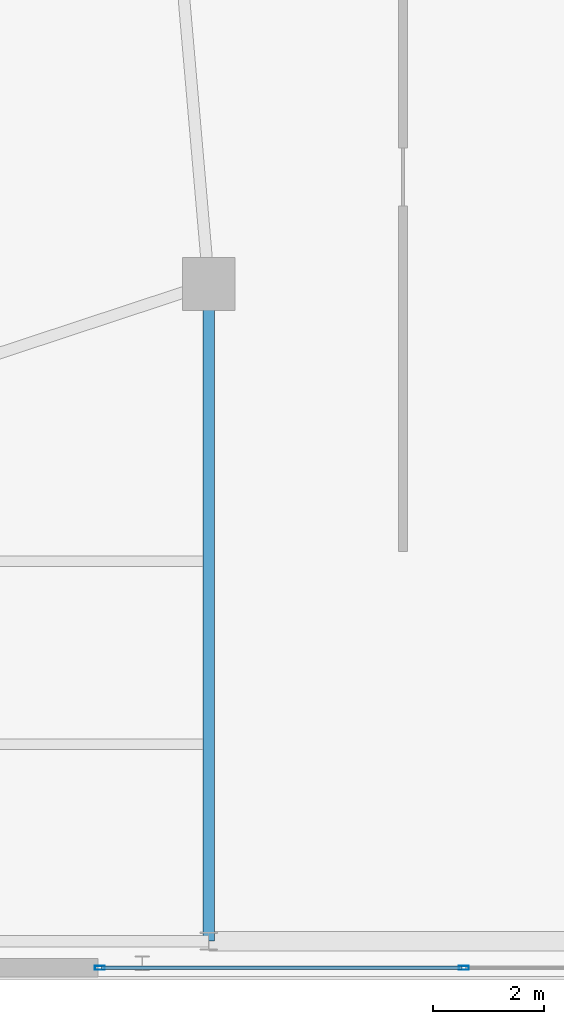
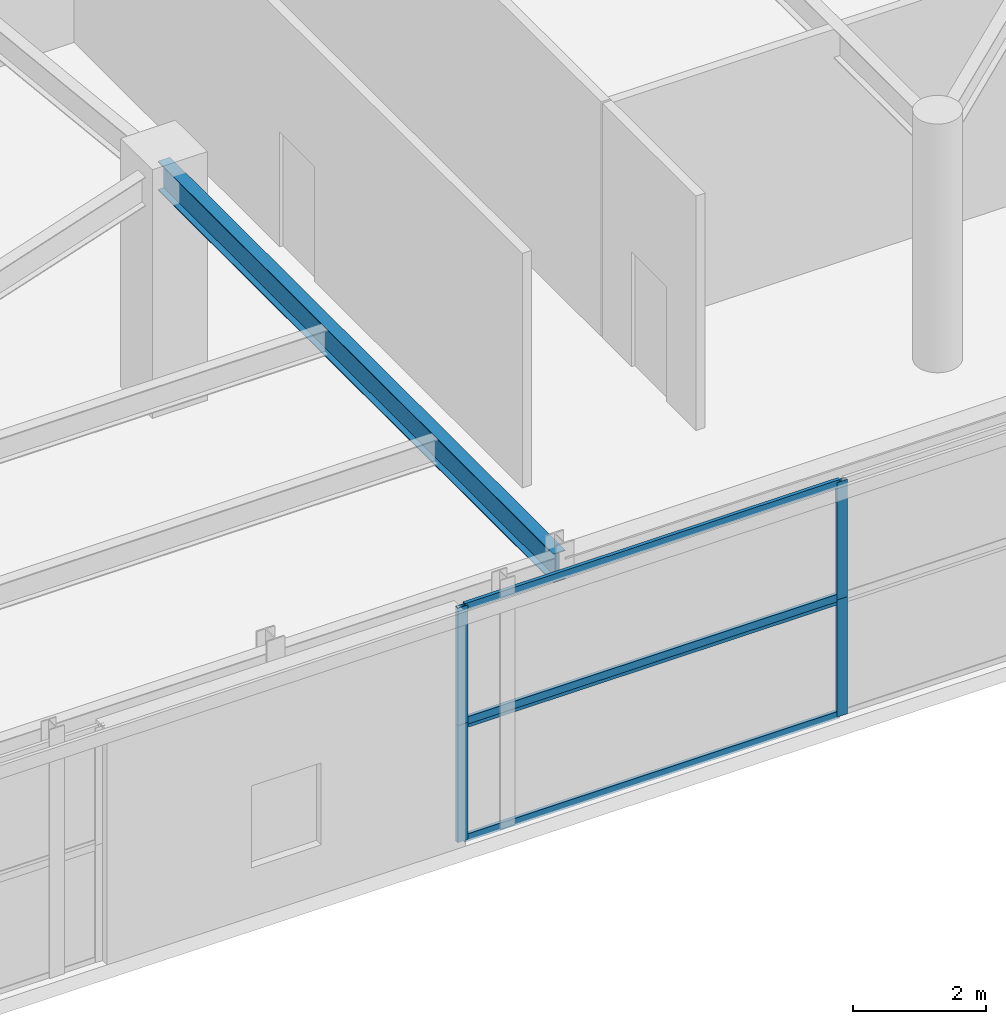
# One storey, part 16 of 26: 8 members, 1 beam, 2 elements without a shape of their own.
"""IFC4 building model written with IfcOpenShell, lengths in metres."""

from ifc_helpers import new_model, si_unit, direction, frame, origin, origin_2d, place, context, subcontext, project, spatial, hollow_rectangle, i_section, extrude, source, transform, mapped, material, layer, layer_set, material_profile, profile_set, type_object, element, aggregate, save


model = new_model("IFC4")

# Units and contexts
model_context = context("Model", 3, precision=1e-05, world=origin(), true_north=direction((0.0, 1.0)))
body_context = subcontext(model_context, "Body", "Model", "MODEL_VIEW")
ifc_project = project(units=[si_unit("LENGTHUNIT", "METRE"), si_unit("AREAUNIT", "SQUARE_METRE"), si_unit("VOLUMEUNIT", "CUBIC_METRE"), si_unit("PLANEANGLEUNIT", "RADIAN"), si_unit("MASSUNIT", "GRAM", prefix="KILO")], contexts=[model_context])

# Site, building, storey
site_placement = place(None, origin())
site = spatial("IfcSite", under=ifc_project, at=site_placement, CompositionType="ELEMENT")
building_placement = place(site_placement, origin())
building = spatial("IfcBuilding", under=site, at=building_placement, Name="Taldren Reach Tower", CompositionType="ELEMENT")
storey_placement = place(building_placement, frame((0.0, 0.0, 8.39990234375)))
storey = spatial("IfcBuildingStorey", under=building, at=storey_placement, Name="L02", CompositionType="ELEMENT", Elevation=8.39990234375)

# Beam
ifc_material_1 = material(Name="Steel Gr 350 (350PLUS)", Category="steel")
ifc_material_profile_1 = material_profile(ifc_material_1, i_section(OverallWidth=0.208984375, OverallDepth=0.532958984375, WebThickness=0.01025390625, FlangeThickness=0.015625, at=origin_2d()), Name="530UB92.4")
ifc_profile_set_1 = profile_set([ifc_material_profile_1], Name="Steel Gr 350 (350PLUS)")
beam_type = type_object("IfcBeamType", Name="BM-UB530A", PredefinedType="BEAM", material=ifc_profile_set_1)
shared_shape_1 = source(origin(), body_context, "Body", "SweptSolid", [
    extrude(i_section(OverallWidth=0.208984375, OverallDepth=0.532958984375, WebThickness=0.01025390625, FlangeThickness=0.015625, at=origin_2d()), origin(), (0.0, 0.0, 1.0), 11.85009765625),
])
beam_placement = place(storey_placement, frame((52.0, 0.64990234375, 4.023681640625), z_axis=(0.0, 1.0, 0.0), x_axis=(-1.0, 0.0, 0.0)))
element("IfcBeam", 1, at=beam_placement, inside=storey, type_object=beam_type, Name="Podium beam L02-PD25", PredefinedType="BEAM", context=body_context, shape_type="MappedRepresentation", body=[
    mapped(shared_shape_1, transform((0.0, 0.0, 0.0), scale=1.0)),
])

# Curtain wall, members
ifc_material_2 = material(Name="Aluminium and Low-E Glass Unitised System", Category="aluminium")
ifc_layer = layer(ifc_material_2, 0.159912109375)
ifc_layer_set = layer_set([ifc_layer], Name="Aluminium and Low-E Glass Unitised System")
curtain_wall_type = type_object("IfcCurtainWallType", Name="CW-SYS-1", PredefinedType="NOTDEFINED", material=ifc_layer_set)
curtain_wall_1_placement = place(storey_placement, origin())
curtain_wall_1 = element("IfcCurtainWall", 2, at=curtain_wall_1_placement, inside=storey, type_object=curtain_wall_type, Name="Unitised curtain wall CW1-L02-S3", PredefinedType="NOTDEFINED")
ifc_material_3 = material(Name="Anodised Aluminium 6063-T6", Category="aluminium")
ifc_material_profile_2 = material_profile(ifc_material_3, hollow_rectangle(XDim=0.070068359375, YDim=0.179931640625, WallThickness=0.00390625, at=origin_2d()), Name="ALU-180x70x4RHS")
ifc_profile_set_2 = profile_set([ifc_material_profile_2], Name="Anodised Aluminium 6063-T6")
member_type_1 = type_object("IfcMemberType", Name="CW-MUL-180", PredefinedType="MULLION", material=ifc_profile_set_2)
shared_shape_2 = source(origin(), body_context, "Body", "SweptSolid", [
    extrude(hollow_rectangle(XDim=0.070068359375, YDim=0.179931640625, WallThickness=0.00390625, at=origin_2d()), origin(), (0.0, 0.0, 1.0), 2.14501953125),
])
member_1_placement = place(storey_placement, frame((50.034912109375, 0.169921875, 0.0), z_axis=(0.0, 0.0, 1.0), x_axis=(0.0, 1.0, 0.0)))
member_1 = element("IfcMember", 3, at=member_1_placement, type_object=member_type_1, Name="CW-1 mullion 1", PredefinedType="MULLION", context=body_context, shape_type="MappedRepresentation", body=[
    mapped(shared_shape_2, transform((0.0, 0.0, 0.0), scale=1.0)),
])
member_2_placement = place(storey_placement, frame((56.60009765625, 0.169921875, 0.0), z_axis=(0.0, 0.0, 1.0), x_axis=(0.0, 1.0, 0.0)))
member_2 = element("IfcMember", 4, at=member_2_placement, type_object=member_type_1, Name="CW-1 mullion 2", PredefinedType="MULLION", context=body_context, shape_type="MappedRepresentation", body=[
    mapped(shared_shape_2, transform((0.0, 0.0, 0.0), scale=1.0)),
])

curtain_wall_2_placement = place(storey_placement, origin())
curtain_wall_2 = element("IfcCurtainWall", 5, at=curtain_wall_2_placement, inside=storey, type_object=curtain_wall_type, Name="Unitised curtain wall CW1-L02-S3-T2", PredefinedType="NOTDEFINED")
member_3_placement = place(storey_placement, frame((50.034912109375, 0.169921875, 2.14501953125), z_axis=(0.0, 0.0, 1.0), x_axis=(0.0, 1.0, 0.0)))
member_3 = element("IfcMember", 6, at=member_3_placement, type_object=member_type_1, Name="CW-1 mullion 1", PredefinedType="MULLION", context=body_context, shape_type="MappedRepresentation", body=[
    mapped(shared_shape_2, transform((0.0, 0.0, 0.0), scale=1.0)),
])
member_4_placement = place(storey_placement, frame((56.60009765625, 0.169921875, 2.14501953125), z_axis=(0.0, 0.0, 1.0), x_axis=(0.0, 1.0, 0.0)))
member_4 = element("IfcMember", 7, at=member_4_placement, type_object=member_type_1, Name="CW-1 mullion 2", PredefinedType="MULLION", context=body_context, shape_type="MappedRepresentation", body=[
    mapped(shared_shape_2, transform((0.0, 0.0, 0.0), scale=1.0)),
])

# Member
ifc_material_profile_3 = material_profile(ifc_material_3, hollow_rectangle(XDim=0.06005859375, YDim=0.135009765625, WallThickness=0.00341796875, at=origin_2d()), Name="ALU-135x60x3.5RHS")
ifc_profile_set_3 = profile_set([ifc_material_profile_3], Name="Anodised Aluminium 6063-T6")
member_type_2 = type_object("IfcMemberType", Name="CW-TRN-150", PredefinedType="USERDEFINED", material=ifc_profile_set_3)
shared_shape_3 = source(origin(), body_context, "Body", "SweptSolid", [
    extrude(hollow_rectangle(XDim=0.06005859375, YDim=0.135009765625, WallThickness=0.00341796875, at=origin_2d()), origin(), (0.0, 0.0, 1.0), 6.494873046875),
])
member_5_placement = place(storey_placement, frame((50.070068359375, 0.169921875, 0.030029296875), z_axis=(1.0, 0.0, 0.0), x_axis=(0.0, 1.0, 0.0)))
member_5 = element("IfcMember", 8, at=member_5_placement, type_object=member_type_2, Name="CW-1 transom 1.1", ObjectType="TRANSOM", PredefinedType="USERDEFINED", context=body_context, shape_type="MappedRepresentation", body=[
    mapped(shared_shape_3, transform((0.0, 0.0, 0.0), scale=1.0)),
])

member_6_placement = place(storey_placement, frame((50.070068359375, 0.169921875, 2.114990234375), z_axis=(1.0, 0.0, 0.0), x_axis=(0.0, 1.0, 0.0)))
member_6 = element("IfcMember", 9, at=member_6_placement, type_object=member_type_2, Name="CW-1 transom 1.2", ObjectType="TRANSOM", PredefinedType="USERDEFINED", context=body_context, shape_type="MappedRepresentation", body=[
    mapped(shared_shape_3, transform((0.0, 0.0, 0.0), scale=1.0)),
])

aggregate(curtain_wall_1, [member_1, member_2, member_5, member_6])

member_7_placement = place(storey_placement, frame((50.070068359375, 0.169921875, 2.175048828125), z_axis=(1.0, 0.0, 0.0), x_axis=(0.0, 1.0, 0.0)))
member_7 = element("IfcMember", 10, at=member_7_placement, type_object=member_type_2, Name="CW-1 transom 1.1", ObjectType="TRANSOM", PredefinedType="USERDEFINED", context=body_context, shape_type="MappedRepresentation", body=[
    mapped(shared_shape_3, transform((0.0, 0.0, 0.0), scale=1.0)),
])

member_8_placement = place(storey_placement, frame((50.070068359375, 0.169921875, 4.260009765625), z_axis=(1.0, 0.0, 0.0), x_axis=(0.0, 1.0, 0.0)))
member_8 = element("IfcMember", 11, at=member_8_placement, type_object=member_type_2, Name="CW-1 transom 1.2", ObjectType="TRANSOM", PredefinedType="USERDEFINED", context=body_context, shape_type="MappedRepresentation", body=[
    mapped(shared_shape_3, transform((0.0, 0.0, 0.0), scale=1.0)),
])

aggregate(curtain_wall_2, [member_3, member_4, member_7, member_8])

save(model, "model.ifc")
